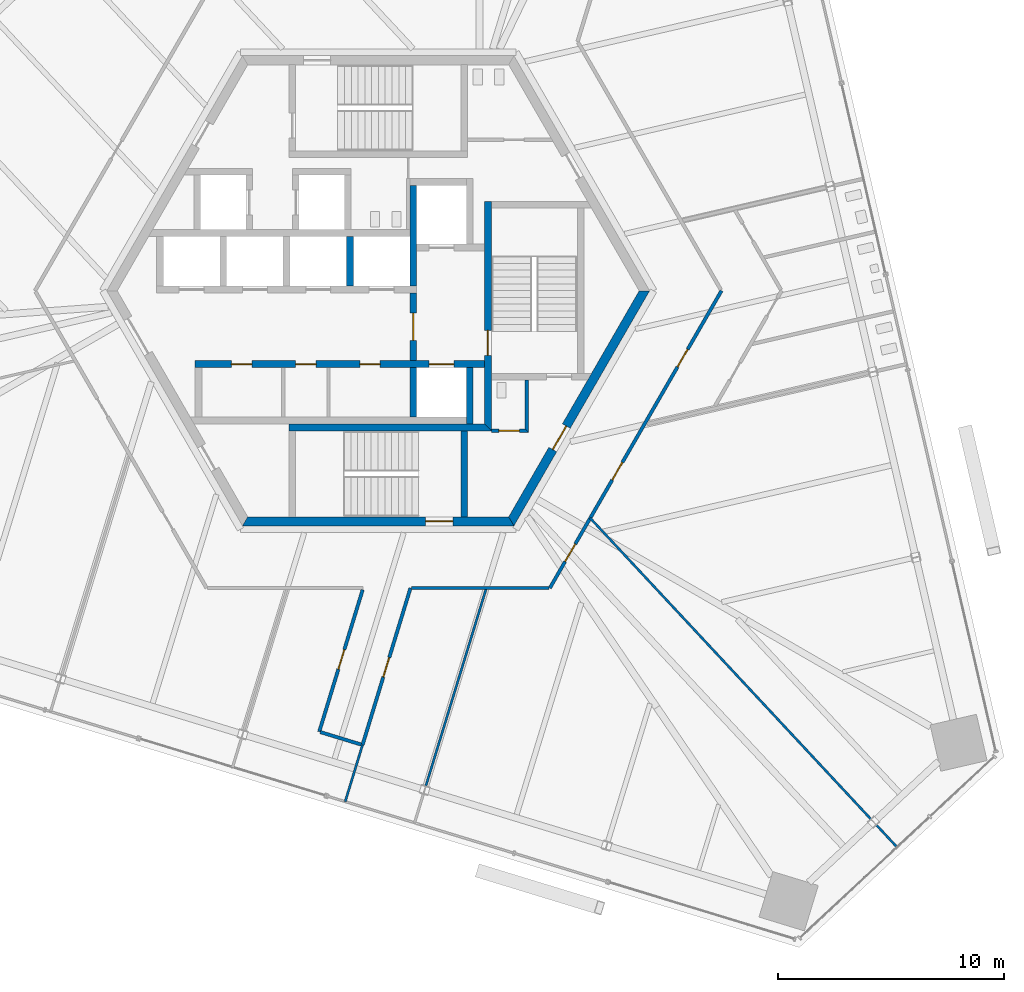
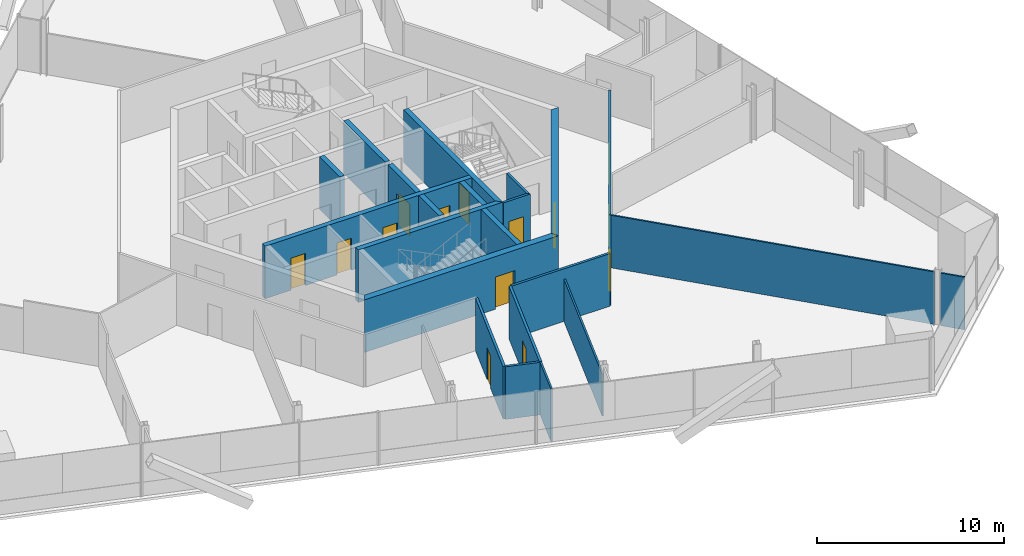
# One storey, part 11 of 17: 22 walls, 14 doors, 14 openings.
"""IFC4 building model written with IfcOpenShell, lengths in metres."""

from ifc_helpers import new_model, si_unit, direction, frame, frame_2d, origin, place, context, subcontext, project, spatial, polyline, rectangle, outline, extrude, source, transform, mapped, material, layer, layer_set, type_object, element, fill, save


model = new_model("IFC4")

# Units and contexts
model_context = context("Model", 3, precision=1e-05, world=origin(), true_north=direction((0.0, 1.0)))
body_context = subcontext(model_context, "Body", "Model", "MODEL_VIEW")
ifc_project = project(units=[si_unit("LENGTHUNIT", "METRE"), si_unit("AREAUNIT", "SQUARE_METRE"), si_unit("VOLUMEUNIT", "CUBIC_METRE"), si_unit("PLANEANGLEUNIT", "RADIAN"), si_unit("MASSUNIT", "GRAM", prefix="KILO")], contexts=[model_context])

# Site, building, storey
site_placement = place(None, origin())
site = spatial("IfcSite", under=ifc_project, at=site_placement, CompositionType="ELEMENT")
building_placement = place(site_placement, origin())
building = spatial("IfcBuilding", under=site, at=building_placement, Name="Triune Harvest Tower", CompositionType="ELEMENT")
storey_placement = place(building_placement, frame((0.0, 0.0, 123.5)))
storey = spatial("IfcBuildingStorey", under=building, at=storey_placement, Name="L31", CompositionType="ELEMENT", Elevation=123.5)

# Wall
ifc_material_1 = material(Name="Gypsum board on steel studs", Category="steel")
ifc_layer_1 = layer(ifc_material_1, 0.14990234375)
ifc_layer_set_1 = layer_set([ifc_layer_1], Name="Gypsum board on steel studs")
wall_type_1 = type_object("IfcWallType", Name="Fire Partition 150 mm", PredefinedType="PARTITIONING", material=ifc_layer_set_1)
wall_1_placement = place(storey_placement, frame((1.47705078125, -13.142333984375, 0.0), z_axis=(0.0, 0.0, 1.0), x_axis=(1.0, 0.0, 0.0)))
element("IfcWall", 1, at=wall_1_placement, inside=storey, type_object=wall_type_1, Name="Partition L31 014", PredefinedType="PARTITIONING", context=body_context, shape_type="SweptSolid", body=[
    extrude(rectangle(XDim=6.070556640625, YDim=0.14990234375, at=frame_2d((3.03515625, 0.0))), origin(), (0.0, 0.0, 1.0), 3.43994140625),
])

# Wall, opening, door
wall_2_placement = place(storey_placement, frame((-0.694091796875, -20.080078125, 0.0), z_axis=(0.0, 0.0, 1.0), x_axis=(0.292373281217, 0.956304273979, 0.0)))
wall_2 = element("IfcWall", 2, at=wall_2_placement, inside=storey, type_object=wall_type_1, Name="Partition L31 030", PredefinedType="PARTITIONING", context=body_context, shape_type="SweptSolid", body=[
    extrude(rectangle(XDim=7.254638671875, YDim=0.14990234375, at=frame_2d((3.62744140625, 0.0))), origin(), (0.0, 0.0, 1.0), 3.43994140625),
])
opening_1_placement = place(wall_2_placement, frame((3.139892578125, 0.0, 0.0)))
opening_1 = element("IfcOpeningElement", 3, at=opening_1_placement, cuts=wall_2, Name="Opening L31-015", PredefinedType="OPENING", context=body_context, shape_type="SweptSolid", body=[
    extrude(rectangle(XDim=0.89990234375, YDim=2.10009765625, at=frame_2d((0.449951171875, 1.050048828125))), frame((0.0, 0.0849609375, 0.0), z_axis=(0.0, -1.0, 0.0), x_axis=(1.0, 0.0, 0.0)), (0.0, 0.0, 1.0), 0.169921875),
])
ifc_material_2 = material(Name="Timber and steel door set", Category="steel")
door_type_1 = type_object("IfcDoorType", Name="Single leaf door FD30 right hand 900 x 2100", OperationType="SINGLE_SWING_RIGHT", PredefinedType="DOOR", material=ifc_material_2)
door_1_placement = place(opening_1_placement, origin())
door_1 = element("IfcDoor", 4, at=door_1_placement, inside=storey, type_object=door_type_1, Name="Door L31-015 Meeting Room 31.15", OperationType="SINGLE_SWING_RIGHT", OverallHeight=2.10009765625, OverallWidth=0.89990234375, PredefinedType="DOOR", context=body_context, shape_type="SweptSolid", body=[
    extrude(rectangle(XDim=0.89990234375, YDim=2.10009765625, at=frame_2d((0.449951171875, 1.050048828125))), frame((0.0, 0.02490234375, 0.0), z_axis=(0.0, -1.0, 0.0), x_axis=(1.0, 0.0, 0.0)), (0.0, 0.0, 1.0), 0.050048828125),
])
fill(opening_1, door_1)

wall_3_placement = place(storey_placement, frame((-2.60693359375, -19.495361328125, 0.0), z_axis=(0.0, 0.0, 1.0), x_axis=(0.292370681145, 0.956305068901, 0.0)))
wall_3 = element("IfcWall", 5, at=wall_3_placement, inside=storey, type_object=wall_type_1, Name="Partition L31 032", PredefinedType="PARTITIONING", context=body_context, shape_type="SweptSolid", body=[
    extrude(rectangle(XDim=6.5634765625, YDim=0.14990234375, at=frame_2d((3.28173828125, 0.0))), origin(), (0.0, 0.0, 1.0), 3.43994140625),
])
opening_2_placement = place(wall_3_placement, frame((2.8935546875, 0.0, 0.0)))
opening_2 = element("IfcOpeningElement", 6, at=opening_2_placement, cuts=wall_3, Name="Opening L31-014", PredefinedType="OPENING", context=body_context, shape_type="SweptSolid", body=[
    extrude(rectangle(XDim=0.89990234375, YDim=2.10009765625, at=frame_2d((0.449951171875, 1.050048828125))), frame((0.0, 0.0849609375, 0.0), z_axis=(0.0, -1.0, 0.0), x_axis=(1.0, 0.0, 0.0)), (0.0, 0.0, 1.0), 0.169921875),
])
door_2_placement = place(opening_2_placement, origin())
door_2 = element("IfcDoor", 7, at=door_2_placement, inside=storey, type_object=door_type_1, Name="Door L31-014 Office 31.14", OperationType="SINGLE_SWING_RIGHT", OverallHeight=2.10009765625, OverallWidth=0.89990234375, PredefinedType="DOOR", context=body_context, shape_type="SweptSolid", body=[
    extrude(rectangle(XDim=0.89990234375, YDim=2.10009765625, at=frame_2d((0.449951171875, 1.050048828125))), frame((0.0, 0.02490234375, 0.0), z_axis=(0.0, -1.0, 0.0), x_axis=(1.0, 0.0, 0.0)), (0.0, 0.0, 1.0), 0.050048828125),
])
fill(opening_2, door_2)

ifc_material_3 = material(Name="Concrete 70 MPa", Category="concrete")
ifc_layer_2 = layer(ifc_material_3, 0.39990234375)
ifc_layer_set_2 = layer_set([ifc_layer_2], Name="Concrete 70 MPa")
wall_type_2 = type_object("IfcWallType", Name="Core wall 400", PredefinedType="SHEAR", material=ifc_layer_set_2)
shared_shape_1 = source(origin(), body_context, "Body", "SweptSolid", [
    extrude(outline(polyline([(-0.115478515625, -0.199951171875), (11.884521484375, -0.199951171875), (11.653564453125, 0.199951171875), (0.115478515625, 0.199951171875), (-0.115478515625, -0.199951171875)])), origin(), (0.0, 0.0, 1.0), 3.43994140625),
])
wall_4_placement = place(storey_placement, frame((-5.884521484375, -10.1923828125, 0.0), z_axis=(0.0, 0.0, 1.0), x_axis=(1.0, 0.0, 0.0)))
wall_4 = element("IfcWall", 8, at=wall_4_placement, inside=storey, type_object=wall_type_2, Name="Hexagon 4 wall", PredefinedType="SHEAR", context=body_context, shape_type="MappedRepresentation", body=[
    mapped(shared_shape_1, transform((0.0, 0.0, 0.0), scale=1.0)),
])
opening_3_placement = place(wall_4_placement, frame((7.984619140625, 0.0, 0.0)))
opening_3 = element("IfcOpeningElement", 9, at=opening_3_placement, cuts=wall_4, Name="Opening CD-S2P", PredefinedType="OPENING", context=body_context, shape_type="SweptSolid", body=[
    extrude(rectangle(XDim=1.199951171875, YDim=2.10009765625, at=frame_2d((0.60009765625, 1.050048828125))), frame((0.0, 0.2099609375, 0.0), z_axis=(0.0, -1.0, 0.0), x_axis=(1.0, 0.0, 0.0)), (0.0, 0.0, 1.0), 0.419921875),
])
ifc_material_4 = material(Name="Steel S235", Category="steel")
door_type_2 = type_object("IfcDoorType", Name="Stair door 1200 FD120", OperationType="SINGLE_SWING_LEFT", PredefinedType="DOOR", material=ifc_material_4)
door_3_placement = place(opening_3_placement, frame((1.199951171875, 0.0, 0.0), z_axis=(0.0, 0.0, 1.0), x_axis=(-1.0, 0.0, 0.0)))
door_3 = element("IfcDoor", 10, at=door_3_placement, inside=storey, type_object=door_type_2, Name="Door CD-S2P", OperationType="SINGLE_SWING_RIGHT", OverallHeight=2.10009765625, OverallWidth=1.199951171875, PredefinedType="DOOR", context=body_context, shape_type="SweptSolid", body=[
    extrude(rectangle(XDim=1.199951171875, YDim=2.10009765625, at=frame_2d((0.60009765625, 1.050048828125))), frame((0.0, 0.02490234375, 0.0), z_axis=(0.0, -1.0, 0.0), x_axis=(1.0, 0.0, 0.0)), (0.0, 0.0, 1.0), 0.050048828125),
])
fill(opening_3, door_3)

wall_5_placement = place(storey_placement, frame((5.884521484375, -10.1923828125, 0.0), z_axis=(0.0, 0.0, 1.0), x_axis=(0.499996592174, 0.866027371285, 0.0)))
wall_5 = element("IfcWall", 11, at=wall_5_placement, inside=storey, type_object=wall_type_2, Name="Hexagon 5 wall", PredefinedType="SHEAR", context=body_context, shape_type="MappedRepresentation", body=[
    mapped(shared_shape_1, transform((0.0, 0.0, 0.0), scale=1.0)),
])
opening_4_placement = place(wall_5_placement, frame((3.66455078125, 0.0, 0.0)))
opening_4 = element("IfcOpeningElement", 12, at=opening_4_placement, cuts=wall_5, Name="Opening CD-DP", PredefinedType="OPENING", context=body_context, shape_type="SweptSolid", body=[
    extrude(rectangle(XDim=1.199951171875, YDim=2.10009765625, at=frame_2d((0.60009765625, 1.050048828125))), frame((0.0, 0.2099609375, 0.0), z_axis=(0.0, -1.0, 0.0), x_axis=(1.0, 0.0, 0.0)), (0.0, 0.0, 1.0), 0.419921875),
])
door_4_placement = place(opening_4_placement, frame((1.199951171875, 0.0, 0.0), z_axis=(0.0, 0.0, 1.0), x_axis=(-1.0, 0.0, 0.0)))
door_4 = element("IfcDoor", 13, at=door_4_placement, inside=storey, type_object=door_type_2, Name="Door CD-DP", OperationType="SINGLE_SWING_RIGHT", OverallHeight=2.10009765625, OverallWidth=1.199951171875, PredefinedType="DOOR", context=body_context, shape_type="SweptSolid", body=[
    extrude(rectangle(XDim=1.199951171875, YDim=2.10009765625, at=frame_2d((0.60009765625, 1.050048828125))), frame((0.0, 0.02490234375, 0.0), z_axis=(0.0, -1.0, 0.0), x_axis=(1.0, 0.0, 0.0)), (0.0, 0.0, 1.0), 0.050048828125),
])
fill(opening_4, door_4)

# Walls
ifc_material_5 = material(Name="Concrete 70 MPa", Category="concrete")
ifc_layer_3 = layer(ifc_material_5, 0.300048828125)
ifc_layer_set_3 = layer_set([ifc_layer_3], Name="Concrete 70 MPa")
wall_type_3 = type_object("IfcWallType", Name="Core wall 300", PredefinedType="SHEAR", material=ifc_layer_set_3)
shared_shape_2 = source(origin(), body_context, "Body", "SweptSolid", [
    extrude(rectangle(XDim=2.5, YDim=0.300048828125, at=frame_2d((1.25, 0.0))), origin(), (0.0, 0.0, 1.0), 3.43994140625),
])
wall_6_placement = place(storey_placement, frame((4.050048828125, -5.889892578125, 0.0), z_axis=(0.0, 0.0, 1.0), x_axis=(0.0, 1.0, 0.0)))
element("IfcWall", 14, at=wall_6_placement, inside=storey, type_object=wall_type_3, Name="Ff2 east wall", PredefinedType="SHEAR", context=body_context, shape_type="MappedRepresentation", body=[
    mapped(shared_shape_2, transform((0.0, 0.0, 0.0), scale=1.0)),
])
shared_shape_3 = source(origin(), body_context, "Body", "SweptSolid", [
    extrude(rectangle(XDim=4.449951171875, YDim=0.300048828125, at=frame_2d((2.22509765625, 0.0))), origin(), (0.0, 0.0, 1.0), 3.43994140625),
])
wall_7_placement = place(storey_placement, frame((1.550048828125, 0.2099609375, 0.0), z_axis=(0.0, 0.0, 1.0), x_axis=(0.0, 1.0, 0.0)))
element("IfcWall", 15, at=wall_7_placement, inside=storey, type_object=wall_type_3, Name="Ff1 west wall", PredefinedType="SHEAR", context=body_context, shape_type="MappedRepresentation", body=[
    mapped(shared_shape_3, transform((0.0, 0.0, 0.0), scale=1.0)),
])

# Wall, opening, door
shared_shape_4 = source(origin(), body_context, "Body", "SweptSolid", [
    extrude(rectangle(XDim=3.0, YDim=0.300048828125, at=frame_2d((1.5, 0.0))), origin(), (0.0, 0.0, 1.0), 3.43994140625),
])
wall_8_placement = place(storey_placement, frame((1.550048828125, -3.090087890625, 0.0), z_axis=(0.0, 0.0, 1.0), x_axis=(0.0, 1.0, 0.0)))
wall_8 = element("IfcWall", 16, at=wall_8_placement, inside=storey, type_object=wall_type_3, Name="Ff lobby west wall", PredefinedType="SHEAR", context=body_context, shape_type="MappedRepresentation", body=[
    mapped(shared_shape_4, transform((0.0, 0.0, 0.0), scale=1.0)),
])
opening_5_placement = place(wall_8_placement, frame((0.89990234375, 0.0, 0.0)))
opening_5 = element("IfcOpeningElement", 17, at=opening_5_placement, cuts=wall_8, Name="Opening CD-FL", PredefinedType="OPENING", context=body_context, shape_type="SweptSolid", body=[
    extrude(rectangle(XDim=1.199951171875, YDim=2.10009765625, at=frame_2d((0.60009765625, 1.050048828125))), frame((0.0, 0.16015625, 0.0), z_axis=(0.0, -1.0, 0.0), x_axis=(1.0, 0.0, 0.0)), (0.0, 0.0, 1.0), 0.320068359375),
])
ifc_material_6 = material(Name="Steel S235", Category="steel")
door_type_3 = type_object("IfcDoorType", Name="Firefighters' lobby door 1200 FD120", OperationType="SINGLE_SWING_LEFT", PredefinedType="DOOR", material=ifc_material_6)
door_5_placement = place(opening_5_placement, frame((1.199951171875, 0.0, 0.0), z_axis=(0.0, 0.0, 1.0), x_axis=(-1.0, 0.0, 0.0)))
door_5 = element("IfcDoor", 18, at=door_5_placement, inside=storey, type_object=door_type_3, Name="Door CD-FL", OperationType="SINGLE_SWING_RIGHT", OverallHeight=2.10009765625, OverallWidth=1.199951171875, PredefinedType="DOOR", context=body_context, shape_type="SweptSolid", body=[
    extrude(rectangle(XDim=1.199951171875, YDim=2.10009765625, at=frame_2d((0.60009765625, 1.050048828125))), frame((0.0, 0.02490234375, 0.0), z_axis=(0.0, -1.0, 0.0), x_axis=(1.0, 0.0, 0.0)), (0.0, 0.0, 1.0), 0.050048828125),
])
fill(opening_5, door_5)

# Wall, openings, doors
shared_shape_5 = source(origin(), body_context, "Body", "SweptSolid", [
    extrude(rectangle(XDim=12.800048828125, YDim=0.300048828125, at=frame_2d((6.39990234375, 0.0))), origin(), (0.0, 0.0, 1.0), 3.43994140625),
])
wall_9_placement = place(storey_placement, frame((-8.10009765625, -3.239990234375, 0.0), z_axis=(0.0, 0.0, 1.0), x_axis=(1.0, 0.0, 0.0)))
wall_9 = element("IfcWall", 19, at=wall_9_placement, inside=storey, type_object=wall_type_3, Name="South front wall", PredefinedType="SHEAR", context=body_context, shape_type="MappedRepresentation", body=[
    mapped(shared_shape_5, transform((0.0, 0.0, 0.0), scale=1.0)),
])
opening_6_placement = place(wall_9_placement, frame((1.612548828125, 0.0, 0.0)))
opening_6 = element("IfcOpeningElement", 20, at=opening_6_placement, cuts=wall_9, Name="Opening CD-RS1", PredefinedType="OPENING", context=body_context, shape_type="SweptSolid", body=[
    extrude(rectangle(XDim=0.89990234375, YDim=2.10009765625, at=frame_2d((0.449951171875, 1.050048828125))), frame((0.0, 0.16015625, 0.0), z_axis=(0.0, -1.0, 0.0), x_axis=(1.0, 0.0, 0.0)), (0.0, 0.0, 1.0), 0.320068359375),
])
opening_7_placement = place(wall_9_placement, frame((4.449951171875, 0.0, 0.0)))
opening_7 = element("IfcOpeningElement", 21, at=opening_7_placement, cuts=wall_9, Name="Opening CD-RS2", PredefinedType="OPENING", context=body_context, shape_type="SweptSolid", body=[
    extrude(rectangle(XDim=0.89990234375, YDim=2.10009765625, at=frame_2d((0.449951171875, 1.050048828125))), frame((0.0, 0.16015625, 0.0), z_axis=(0.0, -1.0, 0.0), x_axis=(1.0, 0.0, 0.0)), (0.0, 0.0, 1.0), 0.320068359375),
])
opening_8_placement = place(wall_9_placement, frame((7.28759765625, 0.0, 0.0)))
opening_8 = element("IfcOpeningElement", 22, at=opening_8_placement, cuts=wall_9, Name="Opening CD-RS3", PredefinedType="OPENING", context=body_context, shape_type="SweptSolid", body=[
    extrude(rectangle(XDim=0.89990234375, YDim=2.10009765625, at=frame_2d((0.449951171875, 1.050048828125))), frame((0.0, 0.16015625, 0.0), z_axis=(0.0, -1.0, 0.0), x_axis=(1.0, 0.0, 0.0)), (0.0, 0.0, 1.0), 0.320068359375),
])
opening_9_placement = place(wall_9_placement, frame((10.35009765625, 0.0, 0.0)))
opening_9 = element("IfcOpeningElement", 23, at=opening_9_placement, cuts=wall_9, Name="Opening LD-FF2-31", PredefinedType="OPENING", context=body_context, shape_type="SweptSolid", body=[
    extrude(rectangle(XDim=1.10009765625, YDim=2.10009765625, at=frame_2d((0.550048828125, 1.050048828125))), frame((0.0, 0.16015625, 0.0), z_axis=(0.0, -1.0, 0.0), x_axis=(1.0, 0.0, 0.0)), (0.0, 0.0, 1.0), 0.320068359375),
])
ifc_material_7 = material(Name="Stainless steel AISI 304", Category="steel")
door_type_4 = type_object("IfcDoorType", Name="Landing door 1100 x 2100", OperationType="DOUBLE_DOOR_SLIDING", PredefinedType="DOOR", material=ifc_material_7)
door_6_placement = place(opening_9_placement, origin())
door_6 = element("IfcDoor", 24, at=door_6_placement, inside=storey, type_object=door_type_4, Name="Door LD-FF2-31", OperationType="DOUBLE_DOOR_SLIDING", OverallHeight=2.10009765625, OverallWidth=1.10009765625, PredefinedType="DOOR", context=body_context, shape_type="SweptSolid", body=[
    extrude(rectangle(XDim=1.10009765625, YDim=2.10009765625, at=frame_2d((0.550048828125, 1.050048828125))), frame((0.0, 0.02490234375, 0.0), z_axis=(0.0, -1.0, 0.0), x_axis=(1.0, 0.0, 0.0)), (0.0, 0.0, 1.0), 0.050048828125),
])
fill(opening_9, door_6)
ifc_material_8 = material(Name="Steel S235", Category="steel")
door_type_5 = type_object("IfcDoorType", Name="Riser door 900 FD120", OperationType="SINGLE_SWING_LEFT", PredefinedType="DOOR", material=ifc_material_8)
door_7_placement = place(opening_6_placement, origin())
door_7 = element("IfcDoor", 25, at=door_7_placement, inside=storey, type_object=door_type_5, Name="Door CD-RS1", OperationType="SINGLE_SWING_LEFT", OverallHeight=2.10009765625, OverallWidth=0.89990234375, PredefinedType="DOOR", context=body_context, shape_type="SweptSolid", body=[
    extrude(rectangle(XDim=0.89990234375, YDim=2.10009765625, at=frame_2d((0.449951171875, 1.050048828125))), frame((0.0, 0.02490234375, 0.0), z_axis=(0.0, -1.0, 0.0), x_axis=(1.0, 0.0, 0.0)), (0.0, 0.0, 1.0), 0.050048828125),
])
fill(opening_6, door_7)
door_8_placement = place(opening_7_placement, origin())
door_8 = element("IfcDoor", 26, at=door_8_placement, inside=storey, type_object=door_type_5, Name="Door CD-RS2", OperationType="SINGLE_SWING_LEFT", OverallHeight=2.10009765625, OverallWidth=0.89990234375, PredefinedType="DOOR", context=body_context, shape_type="SweptSolid", body=[
    extrude(rectangle(XDim=0.89990234375, YDim=2.10009765625, at=frame_2d((0.449951171875, 1.050048828125))), frame((0.0, 0.02490234375, 0.0), z_axis=(0.0, -1.0, 0.0), x_axis=(1.0, 0.0, 0.0)), (0.0, 0.0, 1.0), 0.050048828125),
])
fill(opening_7, door_8)
door_9_placement = place(opening_8_placement, origin())
door_9 = element("IfcDoor", 27, at=door_9_placement, inside=storey, type_object=door_type_5, Name="Door CD-RS3", OperationType="SINGLE_SWING_LEFT", OverallHeight=2.10009765625, OverallWidth=0.89990234375, PredefinedType="DOOR", context=body_context, shape_type="SweptSolid", body=[
    extrude(rectangle(XDim=0.89990234375, YDim=2.10009765625, at=frame_2d((0.449951171875, 1.050048828125))), frame((0.0, 0.02490234375, 0.0), z_axis=(0.0, -1.0, 0.0), x_axis=(1.0, 0.0, 0.0)), (0.0, 0.0, 1.0), 0.050048828125),
])
fill(opening_8, door_9)

# Walls
shared_shape_6 = source(origin(), body_context, "Body", "SweptSolid", [
    extrude(rectangle(XDim=2.2001953125, YDim=0.300048828125, at=frame_2d((1.10009765625, 0.0))), origin(), (0.0, 0.0, 1.0), 3.43994140625),
])
wall_10_placement = place(storey_placement, frame((1.550048828125, -5.590087890625, 0.0), z_axis=(0.0, 0.0, 1.0), x_axis=(0.0, 1.0, 0.0)))
element("IfcWall", 28, at=wall_10_placement, inside=storey, type_object=wall_type_3, Name="Ff2 west wall", PredefinedType="SHEAR", context=body_context, shape_type="MappedRepresentation", body=[
    mapped(shared_shape_6, transform((0.0, 0.0, 0.0), scale=1.0)),
])
shared_shape_7 = source(origin(), body_context, "Body", "SweptSolid", [
    extrude(rectangle(XDim=2.199951171875, YDim=0.300048828125, at=frame_2d((1.10009765625, 0.0))), origin(), (0.0, 0.0, 1.0), 3.43994140625),
])
wall_11_placement = place(storey_placement, frame((-1.25, 0.2099609375, 0.0), z_axis=(0.0, 0.0, 1.0), x_axis=(0.0, 1.0, 0.0)))
element("IfcWall", 29, at=wall_11_placement, inside=storey, type_object=wall_type_3, Name="North cross 3 wall", PredefinedType="SHEAR", context=body_context, shape_type="MappedRepresentation", body=[
    mapped(shared_shape_7, transform((0.0, 0.0, 0.0), scale=1.0)),
])

# Wall, opening, door
shared_shape_8 = source(origin(), body_context, "Body", "SweptSolid", [
    extrude(outline(polyline([(-0.14990234375, -0.14990234375), (9.989990234375, -0.14990234375), (9.989990234375, 0.14990234375), (0.14990234375, 0.14990234375), (-0.14990234375, -0.14990234375)])), origin(), (0.0, 0.0, 1.0), 3.43994140625),
])
wall_12_placement = place(storey_placement, frame((4.85009765625, -6.0400390625, 0.0), z_axis=(0.0, 0.0, 1.0), x_axis=(0.0, 1.0, 0.0)))
wall_12 = element("IfcWall", 30, at=wall_12_placement, inside=storey, type_object=wall_type_3, Name="Stair e west wall", PredefinedType="SHEAR", context=body_context, shape_type="MappedRepresentation", body=[
    mapped(shared_shape_8, transform((0.0, 0.0, 0.0), scale=1.0)),
])
opening_10_placement = place(wall_12_placement, frame((3.18994140625, 0.0, 0.0)))
opening_10 = element("IfcOpeningElement", 31, at=opening_10_placement, cuts=wall_12, Name="Opening CD-S3L", PredefinedType="OPENING", context=body_context, shape_type="SweptSolid", body=[
    extrude(rectangle(XDim=1.10009765625, YDim=2.10009765625, at=frame_2d((0.550048828125, 1.050048828125))), frame((0.0, 0.16015625, 0.0), z_axis=(0.0, -1.0, 0.0), x_axis=(1.0, 0.0, 0.0)), (0.0, 0.0, 1.0), 0.320068359375),
])
ifc_material_9 = material(Name="Steel S235", Category="steel")
door_type_6 = type_object("IfcDoorType", Name="Stair door 1100 FD120", OperationType="SINGLE_SWING_LEFT", PredefinedType="DOOR", material=ifc_material_9)
door_10_placement = place(opening_10_placement, frame((1.10009765625, 0.0, 0.0), z_axis=(0.0, 0.0, 1.0), x_axis=(-1.0, 0.0, 0.0)))
door_10 = element("IfcDoor", 32, at=door_10_placement, inside=storey, type_object=door_type_6, Name="Door CD-S3L", OperationType="SINGLE_SWING_RIGHT", OverallHeight=2.10009765625, OverallWidth=1.10009765625, PredefinedType="DOOR", context=body_context, shape_type="SweptSolid", body=[
    extrude(rectangle(XDim=1.10009765625, YDim=2.10009765625, at=frame_2d((0.550048828125, 1.050048828125))), frame((0.0, 0.02490234375, 0.0), z_axis=(0.0, -1.0, 0.0), x_axis=(1.0, 0.0, 0.0)), (0.0, 0.0, 1.0), 0.050048828125),
])
fill(opening_10, door_10)

# Walls
shared_shape_9 = source(origin(), body_context, "Body", "SweptSolid", [
    extrude(outline(polyline([(0.0, -0.14990234375), (8.949951171875, -0.14990234375), (8.64990234375, 0.14990234375), (0.0, 0.14990234375), (0.0, -0.14990234375)])), origin(), (0.0, 0.0, 1.0), 3.43994140625),
])
wall_13_placement = place(storey_placement, frame((-3.949951171875, -6.0400390625, 0.0), z_axis=(0.0, 0.0, 1.0), x_axis=(1.0, 0.0, 0.0)))
element("IfcWall", 33, at=wall_13_placement, inside=storey, type_object=wall_type_3, Name="Stair s north wall", PredefinedType="SHEAR", context=body_context, shape_type="MappedRepresentation", body=[
    mapped(shared_shape_9, transform((0.0, 0.0, 0.0), scale=1.0)),
])
shared_shape_10 = source(origin(), body_context, "Body", "SweptSolid", [
    extrude(outline(polyline([(3.800048828125, -0.14990234375), (-0.00439453125, -0.14990234375), (-0.00439453125, 0.14990234375), (3.800048828125, 0.14990234375), (3.800048828125, -0.14990234375)])), origin(), (0.0, 0.0, 1.0), 3.43994140625),
])
wall_14_placement = place(storey_placement, frame((3.800048828125, -9.989990234375, 0.0), z_axis=(0.0, 0.0, 1.0), x_axis=(0.0, 1.0, 0.0)))
element("IfcWall", 34, at=wall_14_placement, inside=storey, type_object=wall_type_3, Name="Stair s east wall", PredefinedType="SHEAR", context=body_context, shape_type="MappedRepresentation", body=[
    mapped(shared_shape_10, transform((0.0, 0.0, 0.0), scale=1.0)),
])

# Wall, opening, door
ifc_material_10 = material(Name="Concrete masonry unit", Category="masonry")
ifc_layer_4 = layer(ifc_material_10, 0.14990234375)
ifc_layer_set_4 = layer_set([ifc_layer_4], Name="Concrete masonry unit")
wall_type_4 = type_object("IfcWallType", Name="Block partition 150 unrated", PredefinedType="PARTITIONING", material=ifc_layer_set_4)
shared_shape_11 = source(origin(), body_context, "Body", "SweptSolid", [
    extrude(outline(polyline([(0.0, -0.074951171875), (1.64990234375, -0.074951171875), (1.5, 0.074951171875), (0.0, 0.074951171875), (0.0, -0.074951171875)])), origin(), (0.0, 0.0, 1.0), 3.43994140625),
])
wall_15_placement = place(storey_placement, frame((5.0, -6.18994140625, 0.0), z_axis=(0.0, 0.0, 1.0), x_axis=(1.0, 0.0, 0.0)))
wall_15 = element("IfcWall", 35, at=wall_15_placement, inside=storey, type_object=wall_type_4, Name="Wc acc south wall", PredefinedType="PARTITIONING", context=body_context, shape_type="MappedRepresentation", body=[
    mapped(shared_shape_11, transform((0.0, 0.0, 0.0), scale=1.0)),
])
opening_11_placement = place(wall_15_placement, frame((0.33740234375, 0.0, 0.0)))
opening_11 = element("IfcOpeningElement", 36, at=opening_11_placement, cuts=wall_15, Name="Opening CD-WA", PredefinedType="OPENING", context=body_context, shape_type="SweptSolid", body=[
    extrude(rectangle(XDim=0.89990234375, YDim=2.10009765625, at=frame_2d((0.449951171875, 1.050048828125))), frame((0.0, 0.0849609375, 0.0), z_axis=(0.0, -1.0, 0.0), x_axis=(1.0, 0.0, 0.0)), (0.0, 0.0, 1.0), 0.169921875),
])
ifc_material_11 = material(Name="Timber C24", Category="wood")
door_type_7 = type_object("IfcDoorType", Name="WC door 900", OperationType="SINGLE_SWING_LEFT", PredefinedType="DOOR", material=ifc_material_11)
door_11_placement = place(opening_11_placement, origin())
door_11 = element("IfcDoor", 37, at=door_11_placement, inside=storey, type_object=door_type_7, Name="Door CD-WA", OperationType="SINGLE_SWING_LEFT", OverallHeight=2.10009765625, OverallWidth=0.89990234375, PredefinedType="DOOR", context=body_context, shape_type="SweptSolid", body=[
    extrude(rectangle(XDim=0.89990234375, YDim=2.10009765625, at=frame_2d((0.449951171875, 1.050048828125))), frame((0.0, 0.02490234375, 0.0), z_axis=(0.0, -1.0, 0.0), x_axis=(1.0, 0.0, 0.0)), (0.0, 0.0, 1.0), 0.050048828125),
])
fill(opening_11, door_11)

# Walls
shared_shape_12 = source(origin(), body_context, "Body", "SweptSolid", [
    extrude(outline(polyline([(-0.074951171875, -0.074951171875), (2.239990234375, -0.074951171875), (2.239990234375, 0.074951171875), (0.074951171875, 0.074951171875), (-0.074951171875, -0.074951171875)])), origin(), (0.0, 0.0, 1.0), 3.43994140625),
])
wall_16_placement = place(storey_placement, frame((6.574951171875, -6.18994140625, 0.0), z_axis=(0.0, 0.0, 1.0), x_axis=(0.0, 1.0, 0.0)))
element("IfcWall", 38, at=wall_16_placement, inside=storey, type_object=wall_type_4, Name="Wc acc east wall", PredefinedType="PARTITIONING", context=body_context, shape_type="MappedRepresentation", body=[
    mapped(shared_shape_12, transform((0.0, 0.0, 0.0), scale=1.0)),
])
shared_shape_13 = source(origin(), body_context, "Body", "SweptSolid", [
    extrude(rectangle(XDim=1.889892578125, YDim=0.14990234375, at=frame_2d((0.94482421875, 0.0))), origin(), (0.0, 0.0, 1.0), 3.43994140625),
])
wall_17_placement = place(storey_placement, frame((-2.558837890625, -19.510009765625, 0.0), z_axis=(0.0, 0.0, 1.0), x_axis=(0.95631646596, -0.292333400306, 0.0)))
element("IfcWall", 39, at=wall_17_placement, inside=storey, type_object=wall_type_1, Name="Partition L31 011", PredefinedType="PARTITIONING", context=body_context, shape_type="MappedRepresentation", body=[
    mapped(shared_shape_13, transform((0.0, 0.0, 0.0), scale=1.0)),
])
ifc_material_12 = material(Name="Gypsum board on steel studs", Category="steel")
ifc_layer_5 = layer(ifc_material_12, 0.10009765625)
ifc_layer_set_5 = layer_set([ifc_layer_5], Name="Gypsum board on steel studs")
wall_type_5 = type_object("IfcWallType", Name="Partition 100 mm", PredefinedType="PARTITIONING", material=ifc_layer_set_5)
shared_shape_14 = source(origin(), body_context, "Body", "SweptSolid", [
    extrude(rectangle(XDim=1.338134765625, YDim=0.10009765625, at=frame_2d((0.6689453125, 0.0))), origin(), (0.0, 0.0, 1.0), 3.43994140625),
])
wall_18_placement = place(storey_placement, frame((22.02490234375, -23.618896484375, 0.0), z_axis=(0.0, 0.0, 1.0), x_axis=(0.68204515899, -0.731310058114, 0.0)))
element("IfcWall", 40, at=wall_18_placement, inside=storey, type_object=wall_type_5, Name="Partition L31 008", PredefinedType="PARTITIONING", context=body_context, shape_type="MappedRepresentation", body=[
    mapped(shared_shape_14, transform((0.0, 0.0, 0.0), scale=1.0)),
])
shared_shape_15 = source(origin(), body_context, "Body", "SweptSolid", [
    extrude(rectangle(XDim=2.61865234375, YDim=0.10009765625, at=frame_2d((1.309326171875, 0.0))), origin(), (0.0, 0.0, 1.0), 3.43994140625),
])
wall_19_placement = place(storey_placement, frame((-1.459716796875, -22.584228515625, 0.0), z_axis=(0.0, 0.0, 1.0), x_axis=(0.29238197055, 0.956301617324, 0.0)))
element("IfcWall", 41, at=wall_19_placement, inside=storey, type_object=wall_type_5, Name="Partition L31 029", PredefinedType="PARTITIONING", context=body_context, shape_type="MappedRepresentation", body=[
    mapped(shared_shape_15, transform((0.0, 0.0, 0.0), scale=1.0)),
])
shared_shape_16 = source(origin(), body_context, "Body", "SweptSolid", [
    extrude(rectangle(XDim=9.155029296875, YDim=0.10009765625, at=frame_2d((4.57763671875, 0.0))), origin(), (0.0, 0.0, 1.0), 2.7568359375),
])
wall_20_placement = place(storey_placement, frame((2.104248046875, -21.897216796875, 0.0), z_axis=(0.0, 0.0, 1.0), x_axis=(0.292383844163, 0.95630104448, 0.0)))
element("IfcWall", 42, at=wall_20_placement, inside=storey, type_object=wall_type_5, Name="Partition L31 028", PredefinedType="PARTITIONING", context=body_context, shape_type="MappedRepresentation", body=[
    mapped(shared_shape_16, transform((0.0, 0.0, 0.0), scale=1.0)),
])
shared_shape_17 = source(origin(), body_context, "Body", "SweptSolid", [
    extrude(rectangle(XDim=18.19091796875, YDim=0.10009765625, at=frame_2d((9.095458984375, 0.0))), origin(), (0.0, 0.0, 1.0), 3.43994140625),
])
wall_21_placement = place(storey_placement, frame((9.37255859375, -10.05078125, 0.0), z_axis=(0.0, 0.0, 1.0), x_axis=(0.682001629271, -0.73135065302, 0.0)))
element("IfcWall", 43, at=wall_21_placement, inside=storey, type_object=wall_type_5, Name="Partition L31 007", PredefinedType="PARTITIONING", context=body_context, shape_type="MappedRepresentation", body=[
    mapped(shared_shape_17, transform((0.0, 0.0, 0.0), scale=1.0)),
])

# Wall, openings, doors
shared_shape_18 = source(origin(), body_context, "Body", "SweptSolid", [
    extrude(rectangle(XDim=15.175537109375, YDim=0.14990234375, at=frame_2d((7.587890625, 0.0))), origin(), (0.0, 0.0, 1.0), 3.43994140625),
])
wall_22_placement = place(storey_placement, frame((7.587646484375, -13.142333984375, 0.0), z_axis=(0.0, 0.0, 1.0), x_axis=(0.499995869336, 0.866027788611, 0.0)))
wall_22 = element("IfcWall", 44, at=wall_22_placement, inside=storey, type_object=wall_type_1, Name="Partition L31 025", PredefinedType="PARTITIONING", context=body_context, shape_type="MappedRepresentation", body=[
    mapped(shared_shape_18, transform((0.0, 0.0, 0.0), scale=1.0)),
])
opening_12_placement = place(wall_22_placement, frame((5.52001953125, 0.0, 0.0)))
opening_12 = element("IfcOpeningElement", 45, at=opening_12_placement, cuts=wall_22, Name="Opening L31-001", PredefinedType="OPENING", context=body_context, shape_type="SweptSolid", body=[
    extrude(rectangle(XDim=0.89990234375, YDim=2.10009765625, at=frame_2d((0.449951171875, 1.050048828125))), frame((0.0, 0.0849609375, 0.0), z_axis=(0.0, -1.0, 0.0), x_axis=(1.0, 0.0, 0.0)), (0.0, 0.0, 1.0), 0.169921875),
])
opening_13_placement = place(wall_22_placement, frame((11.287841796875, 0.0, 0.0)))
opening_13 = element("IfcOpeningElement", 46, at=opening_13_placement, cuts=wall_22, Name="Opening L31-002", PredefinedType="OPENING", context=body_context, shape_type="SweptSolid", body=[
    extrude(rectangle(XDim=0.89990234375, YDim=2.10009765625, at=frame_2d((0.449951171875, 1.050048828125))), frame((0.0, 0.0849609375, 0.0), z_axis=(0.0, -1.0, 0.0), x_axis=(1.0, 0.0, 0.0)), (0.0, 0.0, 1.0), 0.169921875),
])
opening_14_placement = place(wall_22_placement, frame((1.35009765625, 0.0, 0.0)))
opening_14 = element("IfcOpeningElement", 47, at=opening_14_placement, cuts=wall_22, Name="Opening L31-016", PredefinedType="OPENING", context=body_context, shape_type="SweptSolid", body=[
    extrude(rectangle(XDim=0.89990234375, YDim=2.10009765625, at=frame_2d((0.449951171875, 1.050048828125))), frame((0.0, 0.0849609375, 0.0), z_axis=(0.0, -1.0, 0.0), x_axis=(1.0, 0.0, 0.0)), (0.0, 0.0, 1.0), 0.169921875),
])
ifc_material_13 = material(Name="Timber and steel door set", Category="steel")
door_type_8 = type_object("IfcDoorType", Name="Single leaf door FD30 left hand 900 x 2100", OperationType="SINGLE_SWING_LEFT", PredefinedType="DOOR", material=ifc_material_13)
door_12_placement = place(opening_13_placement, origin())
door_12 = element("IfcDoor", 48, at=door_12_placement, inside=storey, type_object=door_type_8, Name="Door L31-002 WC lobby 31.02", OperationType="SINGLE_SWING_LEFT", OverallHeight=2.10009765625, OverallWidth=0.89990234375, PredefinedType="DOOR", context=body_context, shape_type="SweptSolid", body=[
    extrude(rectangle(XDim=0.89990234375, YDim=2.10009765625, at=frame_2d((0.449951171875, 1.050048828125))), frame((0.0, 0.02490234375, 0.0), z_axis=(0.0, -1.0, 0.0), x_axis=(1.0, 0.0, 0.0)), (0.0, 0.0, 1.0), 0.050048828125),
])
fill(opening_13, door_12)
door_13_placement = place(opening_12_placement, origin())
door_13 = element("IfcDoor", 49, at=door_13_placement, inside=storey, type_object=door_type_1, Name="Door L31-001 Open Office 31.01", OperationType="SINGLE_SWING_RIGHT", OverallHeight=2.10009765625, OverallWidth=0.89990234375, PredefinedType="DOOR", context=body_context, shape_type="SweptSolid", body=[
    extrude(rectangle(XDim=0.89990234375, YDim=2.10009765625, at=frame_2d((0.449951171875, 1.050048828125))), frame((0.0, 0.02490234375, 0.0), z_axis=(0.0, -1.0, 0.0), x_axis=(1.0, 0.0, 0.0)), (0.0, 0.0, 1.0), 0.050048828125),
])
fill(opening_12, door_13)
door_14_placement = place(opening_14_placement, origin())
door_14 = element("IfcDoor", 50, at=door_14_placement, inside=storey, type_object=door_type_1, Name="Door L31-016 Office 31.16", OperationType="SINGLE_SWING_RIGHT", OverallHeight=2.10009765625, OverallWidth=0.89990234375, PredefinedType="DOOR", context=body_context, shape_type="SweptSolid", body=[
    extrude(rectangle(XDim=0.89990234375, YDim=2.10009765625, at=frame_2d((0.449951171875, 1.050048828125))), frame((0.0, 0.02490234375, 0.0), z_axis=(0.0, -1.0, 0.0), x_axis=(1.0, 0.0, 0.0)), (0.0, 0.0, 1.0), 0.050048828125),
])
fill(opening_14, door_14)

save(model, "model.ifc")
